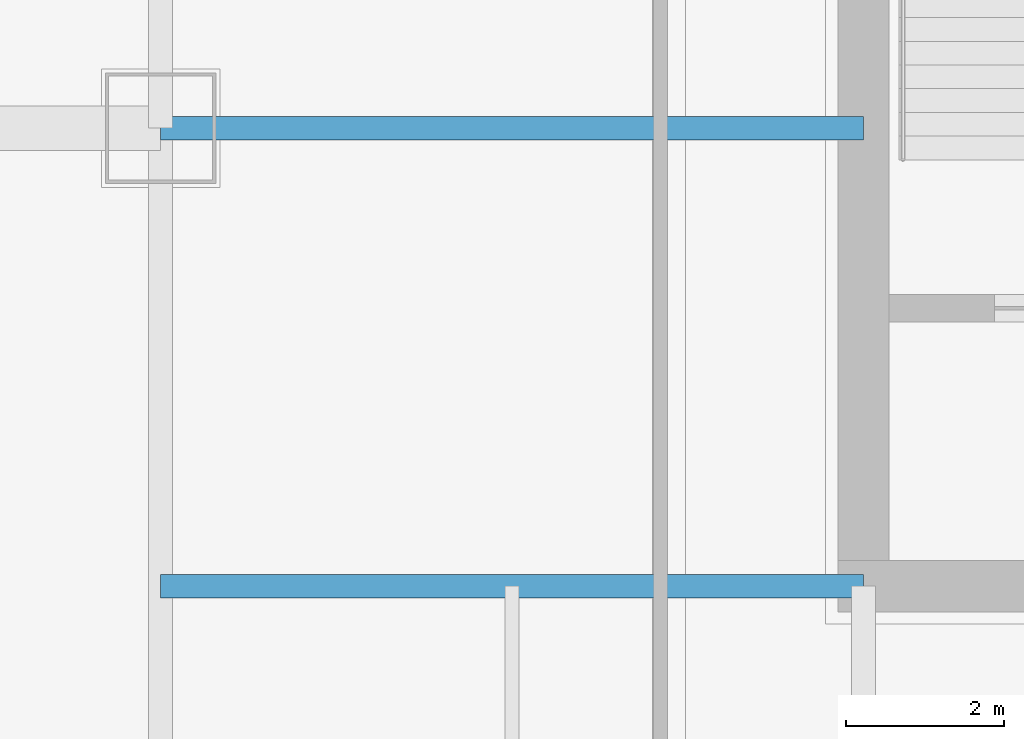
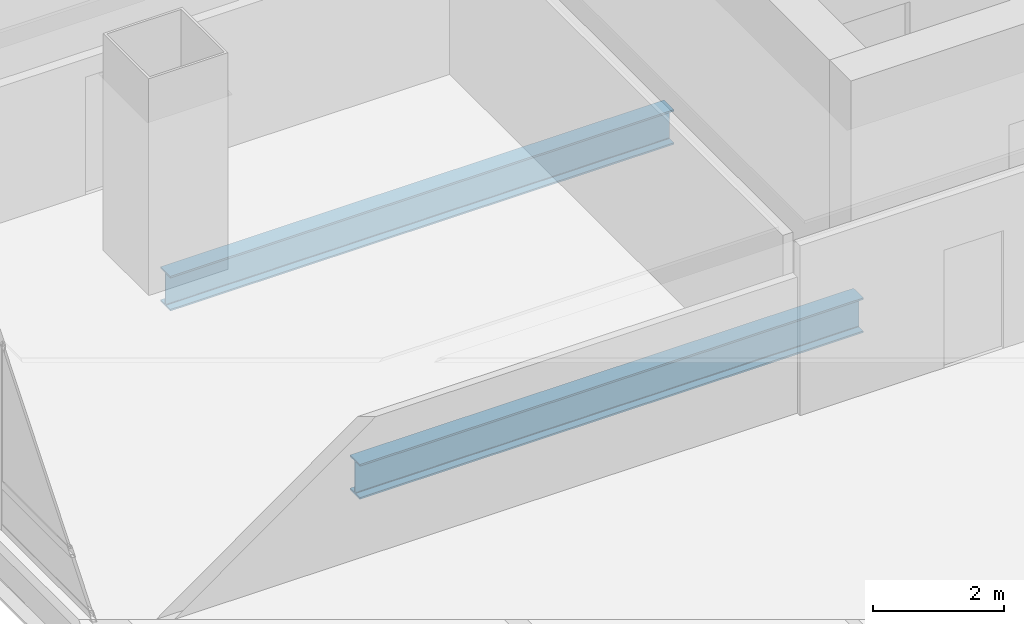
# One storey, part 6 of 37: 2 beams.
"""IFC4 building model written with IfcOpenShell, lengths in metres."""

from ifc_helpers import new_model, si_unit, direction, frame, origin, origin_2d, place, context, subcontext, project, spatial, i_section, extrude, material, material_profile, profile_set, type_object, element, save


model = new_model("IFC4")

# Units and contexts
model_context = context("Model", 3, precision=1e-05, world=origin(), true_north=direction((0.0, 1.0)))
body_context = subcontext(model_context, "Body", "Model", "MODEL_VIEW")
ifc_project = project(units=[si_unit("LENGTHUNIT", "METRE"), si_unit("AREAUNIT", "SQUARE_METRE"), si_unit("VOLUMEUNIT", "CUBIC_METRE"), si_unit("PLANEANGLEUNIT", "RADIAN"), si_unit("MASSUNIT", "GRAM", prefix="KILO")], contexts=[model_context])

# Site, building, storey
site_placement = place(None, origin())
site = spatial("IfcSite", under=ifc_project, at=site_placement, CompositionType="ELEMENT")
building_placement = place(site_placement, origin())
building = spatial("IfcBuilding", under=site, at=building_placement, Name="Punatoya Terracotta Tower", CompositionType="ELEMENT")
storey_placement = place(building_placement, frame((0.0, 0.0, 164.10009765625)))
storey = spatial("IfcBuildingStorey", under=building, at=storey_placement, Name="L38", CompositionType="ELEMENT", Elevation=164.10009765625)

# Beams
ifc_material = material(Name="Steel S355", Category="steel")
ifc_material_profile = material_profile(ifc_material, i_section(OverallWidth=0.300048828125, OverallDepth=0.64990234375, WebThickness=0.01611328125, FlangeThickness=0.031005859375, FilletRadius=0.01806640625, at=origin_2d()))
ifc_profile_set = profile_set([ifc_material_profile], Name="Steel S355")
beam_type = type_object("IfcBeamType", Name="BM-PRI-650", PredefinedType="BEAM", material=ifc_profile_set)
for number, where, z_axis, x_axis, name in (
    (1, (-19.10009765625, -9.199951171875, -0.545166015625), (1.0, 0.0, 0.0), (0.0, 1.0, 0.0), "BM-L38-PR-WS"),
    (2, (-19.10009765625, -3.39990234375, -0.545166015625), (1.0, 0.0, 0.0), (0.0, 1.0, 0.0), "BM-L38-PR-WD"),
):
    element("IfcBeam", number, at=place(storey_placement, frame(where, z_axis=z_axis, x_axis=x_axis)), inside=storey, type_object=beam_type, Name=name, PredefinedType="BEAM", context=body_context, shape_type="SweptSolid", body=[
        extrude(i_section(OverallWidth=0.300048828125, OverallDepth=0.64990234375, WebThickness=0.01611328125, FlangeThickness=0.031005859375, FilletRadius=0.01806640625, at=origin_2d()), origin(), (0.0, 0.0, 1.0), 8.900146484375),
    ])

save(model, "model.ifc")
